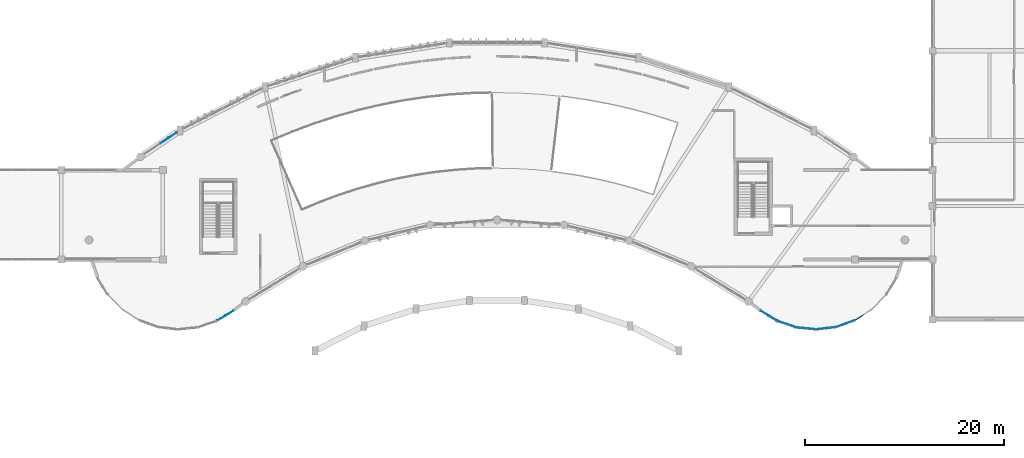
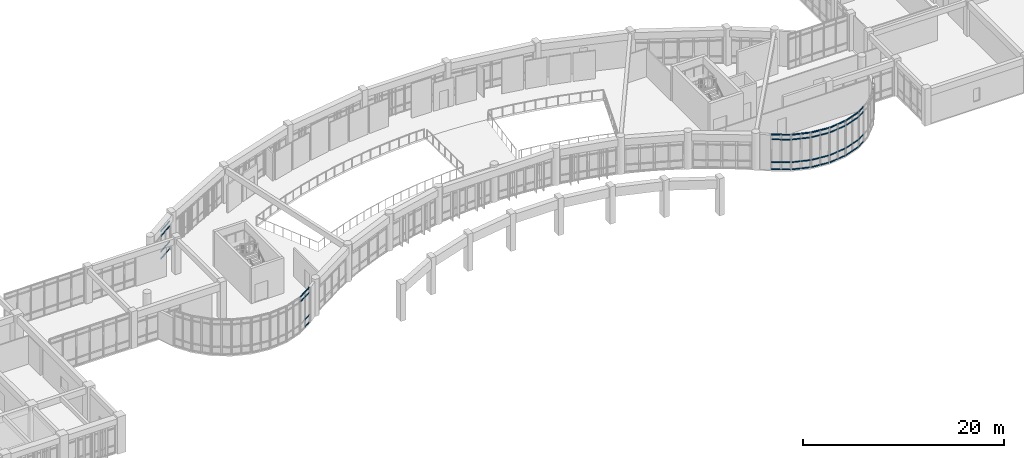
# One storey, part 29 of 57: 58 members, 8 elements without a shape of their own.
"""IFC4 building model written with IfcOpenShell, lengths in metres."""

from ifc_helpers import new_model, si_unit, direction, frame, origin, origin_2d, place, context, subcontext, project, spatial, rectangle, extrude, material, layer, layer_set, material_profile, profile_set, type_object, element, aggregate, save


model = new_model("IFC4")

# Units and contexts
model_context = context("Model", 3, precision=1e-05, world=origin(), true_north=direction((0.0, 1.0)))
body_context = subcontext(model_context, "Body", "Model", "MODEL_VIEW")
ifc_project = project(units=[si_unit("LENGTHUNIT", "METRE"), si_unit("AREAUNIT", "SQUARE_METRE"), si_unit("VOLUMEUNIT", "CUBIC_METRE"), si_unit("PLANEANGLEUNIT", "RADIAN"), si_unit("MASSUNIT", "GRAM", prefix="KILO")], contexts=[model_context])

# Site, building, storey
site_placement = place(None, origin())
site = spatial("IfcSite", under=ifc_project, at=site_placement, CompositionType="ELEMENT")
building_placement = place(site_placement, origin())
building = spatial("IfcBuilding", under=site, at=building_placement, Name="Miralva Faculty of Natural Sciences", CompositionType="ELEMENT")
storey_placement = place(building_placement, frame((0.0, 0.0, 15.0)))
storey = spatial("IfcBuildingStorey", under=building, at=storey_placement, Name="L03", CompositionType="ELEMENT", Elevation=15.0)

# Curtain wall, members
ifc_material_1 = material(Name="Laminated solar-control glass", Category="glass")
ifc_layer_1 = layer(ifc_material_1, 0.179931640625, Name="CW-ARC-L03")
ifc_layer_set_1 = layer_set([ifc_layer_1], Name="Laminated solar-control glass")
curtain_wall_type_1 = type_object("IfcCurtainWallType", Name="CW-ARC-L03", PredefinedType="USERDEFINED", material=ifc_layer_set_1)
curtain_wall_1_placement = place(storey_placement, origin())
curtain_wall_1 = element("IfcCurtainWall", 1, at=curtain_wall_1_placement, inside=storey, type_object=curtain_wall_type_1, Name="Curtain wall CW-03 L03-126", ObjectType="UNITISED CURTAIN WALL", PredefinedType="USERDEFINED")
ifc_material_2 = material(Name="Anodised aluminium", Category="aluminium")
ifc_material_profile = material_profile(ifc_material_2, rectangle(XDim=0.06005859375, YDim=0.1201171875, at=origin_2d()), Name="TRANSOM 60x120")
ifc_profile_set = profile_set([ifc_material_profile], Name="Anodised aluminium")
member_type = type_object("IfcMemberType", Name="CW-T02", PredefinedType="USERDEFINED", material=ifc_profile_set)
member_1_placement = place(storey_placement, frame((56.18603515625, 29.7138671875, 0.030029296875), z_axis=(0.831565381614, 0.555426877366, 0.0), x_axis=(-0.555426877366, 0.831565381614, 0.0)))
member_1 = element("IfcMember", 2, at=member_1_placement, type_object=member_type, Name="CW-03 transom 1.1", ObjectType="TRANSOM", PredefinedType="USERDEFINED", context=body_context, shape_type="SweptSolid", body=[
    extrude(rectangle(XDim=0.06005859375, YDim=0.1201171875, at=origin_2d()), origin(), (0.0, 0.0, 1.0), 0.93017578125),
])
member_2_placement = place(storey_placement, frame((56.18603515625, 29.7138671875, 0.89990234375), z_axis=(0.831565381614, 0.555426877366, 0.0), x_axis=(-0.555426877366, 0.831565381614, 0.0)))
member_2 = element("IfcMember", 3, at=member_2_placement, type_object=member_type, Name="CW-03 transom 1.2", ObjectType="TRANSOM", PredefinedType="USERDEFINED", context=body_context, shape_type="SweptSolid", body=[
    extrude(rectangle(XDim=0.06005859375, YDim=0.1201171875, at=origin_2d()), origin(), (0.0, 0.0, 1.0), 0.93017578125),
])
member_3_placement = place(storey_placement, frame((56.18603515625, 29.7138671875, 2.804931640625), z_axis=(0.831565381614, 0.555426877366, 0.0), x_axis=(-0.555426877366, 0.831565381614, 0.0)))
member_3 = element("IfcMember", 4, at=member_3_placement, type_object=member_type, Name="CW-03 transom 1.3", ObjectType="TRANSOM", PredefinedType="USERDEFINED", context=body_context, shape_type="SweptSolid", body=[
    extrude(rectangle(XDim=0.06005859375, YDim=0.1201171875, at=origin_2d()), origin(), (0.0, 0.0, 1.0), 0.93017578125),
])
member_4_placement = place(storey_placement, frame((56.18603515625, 29.7138671875, 3.375), z_axis=(0.831565381614, 0.555426877366, 0.0), x_axis=(-0.555426877366, 0.831565381614, 0.0)))
member_4 = element("IfcMember", 5, at=member_4_placement, type_object=member_type, Name="CW-03 transom 1.4", ObjectType="TRANSOM", PredefinedType="USERDEFINED", context=body_context, shape_type="SweptSolid", body=[
    extrude(rectangle(XDim=0.06005859375, YDim=0.1201171875, at=origin_2d()), origin(), (0.0, 0.0, 1.0), 0.93017578125),
])
member_5_placement = place(storey_placement, frame((57.013427734375, 30.2666015625, 0.030029296875), z_axis=(0.831484377474, 0.555548134744, 0.0), x_axis=(-0.555548134744, 0.831484377474, 0.0)))
member_5 = element("IfcMember", 6, at=member_5_placement, type_object=member_type, Name="CW-03 transom 2.1", ObjectType="TRANSOM", PredefinedType="USERDEFINED", context=body_context, shape_type="SweptSolid", body=[
    extrude(rectangle(XDim=0.06005859375, YDim=0.1201171875, at=origin_2d()), origin(), (0.0, 0.0, 1.0), 0.929931640625),
])
member_6_placement = place(storey_placement, frame((57.013427734375, 30.2666015625, 0.89990234375), z_axis=(0.831484377474, 0.555548134744, 0.0), x_axis=(-0.555548134744, 0.831484377474, 0.0)))
member_6 = element("IfcMember", 7, at=member_6_placement, type_object=member_type, Name="CW-03 transom 2.2", ObjectType="TRANSOM", PredefinedType="USERDEFINED", context=body_context, shape_type="SweptSolid", body=[
    extrude(rectangle(XDim=0.06005859375, YDim=0.1201171875, at=origin_2d()), origin(), (0.0, 0.0, 1.0), 0.929931640625),
])
member_7_placement = place(storey_placement, frame((57.013427734375, 30.2666015625, 2.804931640625), z_axis=(0.831484377474, 0.555548134744, 0.0), x_axis=(-0.555548134744, 0.831484377474, 0.0)))
member_7 = element("IfcMember", 8, at=member_7_placement, type_object=member_type, Name="CW-03 transom 2.3", ObjectType="TRANSOM", PredefinedType="USERDEFINED", context=body_context, shape_type="SweptSolid", body=[
    extrude(rectangle(XDim=0.06005859375, YDim=0.1201171875, at=origin_2d()), origin(), (0.0, 0.0, 1.0), 0.929931640625),
])
member_8_placement = place(storey_placement, frame((57.013427734375, 30.2666015625, 3.375), z_axis=(0.831484377474, 0.555548134744, 0.0), x_axis=(-0.555548134744, 0.831484377474, 0.0)))
member_8 = element("IfcMember", 9, at=member_8_placement, type_object=member_type, Name="CW-03 transom 2.4", ObjectType="TRANSOM", PredefinedType="USERDEFINED", context=body_context, shape_type="SweptSolid", body=[
    extrude(rectangle(XDim=0.06005859375, YDim=0.1201171875, at=origin_2d()), origin(), (0.0, 0.0, 1.0), 0.929931640625),
])
aggregate(curtain_wall_1, [member_1, member_2, member_3, member_4, member_5, member_6, member_7, member_8])

ifc_layer_2 = layer(ifc_material_1, 0.179931640625, Name="CW-RND-L03")
ifc_layer_set_2 = layer_set([ifc_layer_2], Name="Laminated solar-control glass")
curtain_wall_type_2 = type_object("IfcCurtainWallType", Name="CW-RND-L03", PredefinedType="USERDEFINED", material=ifc_layer_set_2)
curtain_wall_2_placement = place(storey_placement, origin())
curtain_wall_2 = element("IfcCurtainWall", 10, at=curtain_wall_2_placement, inside=storey, type_object=curtain_wall_type_2, Name="Curtain wall CW-06 L03-141", ObjectType="UNITISED CURTAIN WALL", PredefinedType="USERDEFINED")
member_9_placement = place(storey_placement, frame((61.864990234375, 11.86328125, 3.64990234375), z_axis=(0.852016327326, 0.52351521274, 0.0), x_axis=(-0.52351521274, 0.852016327326, 0.0)))
member_9 = element("IfcMember", 11, at=member_9_placement, type_object=member_type, Name="CW-06 transom 1.3", ObjectType="TRANSOM", PredefinedType="USERDEFINED", context=body_context, shape_type="SweptSolid", body=[
    extrude(rectangle(XDim=0.06005859375, YDim=0.1201171875, at=origin_2d()), origin(), (0.0, 0.0, 1.0), 0.91259765625),
])
member_10_placement = place(storey_placement, frame((61.864990234375, 11.86328125, 4.219970703125), z_axis=(0.852016327326, 0.52351521274, 0.0), x_axis=(-0.52351521274, 0.852016327326, 0.0)))
member_10 = element("IfcMember", 12, at=member_10_placement, type_object=member_type, Name="CW-06 transom 1.4", ObjectType="TRANSOM", PredefinedType="USERDEFINED", context=body_context, shape_type="SweptSolid", body=[
    extrude(rectangle(XDim=0.06005859375, YDim=0.1201171875, at=origin_2d()), origin(), (0.0, 0.0, 1.0), 0.91259765625),
])
member_11_placement = place(storey_placement, frame((62.697998046875, 12.375244140625, 0.030029296875), z_axis=(0.852016327326, 0.52351521274, 0.0), x_axis=(-0.52351521274, 0.852016327326, 0.0)))
member_11 = element("IfcMember", 13, at=member_11_placement, type_object=member_type, Name="CW-06 transom 2.1", ObjectType="TRANSOM", PredefinedType="USERDEFINED", context=body_context, shape_type="SweptSolid", body=[
    extrude(rectangle(XDim=0.06005859375, YDim=0.1201171875, at=origin_2d()), origin(), (0.0, 0.0, 1.0), 0.91259765625),
])
member_12_placement = place(storey_placement, frame((62.697998046875, 12.375244140625, 0.89990234375), z_axis=(0.852016327326, 0.52351521274, 0.0), x_axis=(-0.52351521274, 0.852016327326, 0.0)))
member_12 = element("IfcMember", 14, at=member_12_placement, type_object=member_type, Name="CW-06 transom 2.2", ObjectType="TRANSOM", PredefinedType="USERDEFINED", context=body_context, shape_type="SweptSolid", body=[
    extrude(rectangle(XDim=0.06005859375, YDim=0.1201171875, at=origin_2d()), origin(), (0.0, 0.0, 1.0), 0.91259765625),
])
member_13_placement = place(storey_placement, frame((62.697998046875, 12.375244140625, 3.64990234375), z_axis=(0.852016327326, 0.52351521274, 0.0), x_axis=(-0.52351521274, 0.852016327326, 0.0)))
member_13 = element("IfcMember", 15, at=member_13_placement, type_object=member_type, Name="CW-06 transom 2.3", ObjectType="TRANSOM", PredefinedType="USERDEFINED", context=body_context, shape_type="SweptSolid", body=[
    extrude(rectangle(XDim=0.06005859375, YDim=0.1201171875, at=origin_2d()), origin(), (0.0, 0.0, 1.0), 0.91259765625),
])
member_14_placement = place(storey_placement, frame((62.697998046875, 12.375244140625, 4.219970703125), z_axis=(0.852016327326, 0.52351521274, 0.0), x_axis=(-0.52351521274, 0.852016327326, 0.0)))
member_14 = element("IfcMember", 16, at=member_14_placement, type_object=member_type, Name="CW-06 transom 2.4", ObjectType="TRANSOM", PredefinedType="USERDEFINED", context=body_context, shape_type="SweptSolid", body=[
    extrude(rectangle(XDim=0.06005859375, YDim=0.1201171875, at=origin_2d()), origin(), (0.0, 0.0, 1.0), 0.91259765625),
])
aggregate(curtain_wall_2, [member_9, member_10, member_11, member_12, member_13, member_14])

curtain_wall_3_placement = place(storey_placement, origin())
curtain_wall_3 = element("IfcCurtainWall", 17, at=curtain_wall_3_placement, inside=storey, type_object=curtain_wall_type_2, Name="Curtain wall CW-06 L03-151", ObjectType="UNITISED CURTAIN WALL", PredefinedType="USERDEFINED")
member_15_placement = place(storey_placement, frame((126.0546875, 11.9423828125, 0.030029296875), z_axis=(0.841395718797, 0.540419507781, 0.0), x_axis=(-0.540419507781, 0.841395718797, 0.0)))
member_15 = element("IfcMember", 18, at=member_15_placement, type_object=member_type, Name="CW-06 transom 1.1", ObjectType="TRANSOM", PredefinedType="USERDEFINED", context=body_context, shape_type="SweptSolid", body=[
    extrude(rectangle(XDim=0.06005859375, YDim=0.1201171875, at=origin_2d()), origin(), (0.0, 0.0, 1.0), 0.91259765625),
])
member_16_placement = place(storey_placement, frame((126.0546875, 11.9423828125, 0.89990234375), z_axis=(0.841395718797, 0.540419507781, 0.0), x_axis=(-0.540419507781, 0.841395718797, 0.0)))
member_16 = element("IfcMember", 19, at=member_16_placement, type_object=member_type, Name="CW-06 transom 1.2", ObjectType="TRANSOM", PredefinedType="USERDEFINED", context=body_context, shape_type="SweptSolid", body=[
    extrude(rectangle(XDim=0.06005859375, YDim=0.1201171875, at=origin_2d()), origin(), (0.0, 0.0, 1.0), 0.91259765625),
])
member_17_placement = place(storey_placement, frame((126.0546875, 11.9423828125, 3.64990234375), z_axis=(0.841395718797, 0.540419507781, 0.0), x_axis=(-0.540419507781, 0.841395718797, 0.0)))
member_17 = element("IfcMember", 20, at=member_17_placement, type_object=member_type, Name="CW-06 transom 1.3", ObjectType="TRANSOM", PredefinedType="USERDEFINED", context=body_context, shape_type="SweptSolid", body=[
    extrude(rectangle(XDim=0.06005859375, YDim=0.1201171875, at=origin_2d()), origin(), (0.0, 0.0, 1.0), 0.91259765625),
])
member_18_placement = place(storey_placement, frame((126.0546875, 11.9423828125, 4.219970703125), z_axis=(0.841395718797, 0.540419507781, 0.0), x_axis=(-0.540419507781, 0.841395718797, 0.0)))
member_18 = element("IfcMember", 21, at=member_18_placement, type_object=member_type, Name="CW-06 transom 1.4", ObjectType="TRANSOM", PredefinedType="USERDEFINED", context=body_context, shape_type="SweptSolid", body=[
    extrude(rectangle(XDim=0.06005859375, YDim=0.1201171875, at=origin_2d()), origin(), (0.0, 0.0, 1.0), 0.91259765625),
])
aggregate(curtain_wall_3, [member_15, member_16, member_17, member_18])

curtain_wall_4_placement = place(storey_placement, origin())
curtain_wall_4 = element("IfcCurtainWall", 22, at=curtain_wall_4_placement, inside=storey, type_object=curtain_wall_type_2, Name="Curtain wall CW-06 L03-152", ObjectType="UNITISED CURTAIN WALL", PredefinedType="USERDEFINED")
member_19_placement = place(storey_placement, frame((124.16552734375, 11.24462890625, 0.030029296875), z_axis=(0.940525411881, 0.339723342744, 0.0), x_axis=(-0.339723342744, 0.940525411881, 0.0)))
member_19 = element("IfcMember", 23, at=member_19_placement, type_object=member_type, Name="CW-06 transom 1.1", ObjectType="TRANSOM", PredefinedType="USERDEFINED", context=body_context, shape_type="SweptSolid", body=[
    extrude(rectangle(XDim=0.06005859375, YDim=0.1201171875, at=origin_2d()), origin(), (0.0, 0.0, 1.0), 0.91259765625),
])
member_20_placement = place(storey_placement, frame((124.16552734375, 11.24462890625, 0.89990234375), z_axis=(0.940525411881, 0.339723342744, 0.0), x_axis=(-0.339723342744, 0.940525411881, 0.0)))
member_20 = element("IfcMember", 24, at=member_20_placement, type_object=member_type, Name="CW-06 transom 1.2", ObjectType="TRANSOM", PredefinedType="USERDEFINED", context=body_context, shape_type="SweptSolid", body=[
    extrude(rectangle(XDim=0.06005859375, YDim=0.1201171875, at=origin_2d()), origin(), (0.0, 0.0, 1.0), 0.91259765625),
])
member_21_placement = place(storey_placement, frame((124.16552734375, 11.24462890625, 3.64990234375), z_axis=(0.940525411881, 0.339723342744, 0.0), x_axis=(-0.339723342744, 0.940525411881, 0.0)))
member_21 = element("IfcMember", 25, at=member_21_placement, type_object=member_type, Name="CW-06 transom 1.3", ObjectType="TRANSOM", PredefinedType="USERDEFINED", context=body_context, shape_type="SweptSolid", body=[
    extrude(rectangle(XDim=0.06005859375, YDim=0.1201171875, at=origin_2d()), origin(), (0.0, 0.0, 1.0), 0.91259765625),
])
member_22_placement = place(storey_placement, frame((124.16552734375, 11.24462890625, 4.219970703125), z_axis=(0.940525411881, 0.339723342744, 0.0), x_axis=(-0.339723342744, 0.940525411881, 0.0)))
member_22 = element("IfcMember", 26, at=member_22_placement, type_object=member_type, Name="CW-06 transom 1.4", ObjectType="TRANSOM", PredefinedType="USERDEFINED", context=body_context, shape_type="SweptSolid", body=[
    extrude(rectangle(XDim=0.06005859375, YDim=0.1201171875, at=origin_2d()), origin(), (0.0, 0.0, 1.0), 0.91259765625),
])
member_23_placement = place(storey_placement, frame((125.085205078125, 11.576904296875, 0.030029296875), z_axis=(0.94061086064, 0.339486684344, 0.0), x_axis=(-0.339486684344, 0.94061086064, 0.0)))
member_23 = element("IfcMember", 27, at=member_23_placement, type_object=member_type, Name="CW-06 transom 2.1", ObjectType="TRANSOM", PredefinedType="USERDEFINED", context=body_context, shape_type="SweptSolid", body=[
    extrude(rectangle(XDim=0.06005859375, YDim=0.1201171875, at=origin_2d()), origin(), (0.0, 0.0, 1.0), 0.91259765625),
])
member_24_placement = place(storey_placement, frame((125.085205078125, 11.576904296875, 0.89990234375), z_axis=(0.94061086064, 0.339486684344, 0.0), x_axis=(-0.339486684344, 0.94061086064, 0.0)))
member_24 = element("IfcMember", 28, at=member_24_placement, type_object=member_type, Name="CW-06 transom 2.2", ObjectType="TRANSOM", PredefinedType="USERDEFINED", context=body_context, shape_type="SweptSolid", body=[
    extrude(rectangle(XDim=0.06005859375, YDim=0.1201171875, at=origin_2d()), origin(), (0.0, 0.0, 1.0), 0.91259765625),
])
member_25_placement = place(storey_placement, frame((125.085205078125, 11.576904296875, 3.64990234375), z_axis=(0.94061086064, 0.339486684344, 0.0), x_axis=(-0.339486684344, 0.94061086064, 0.0)))
member_25 = element("IfcMember", 29, at=member_25_placement, type_object=member_type, Name="CW-06 transom 2.3", ObjectType="TRANSOM", PredefinedType="USERDEFINED", context=body_context, shape_type="SweptSolid", body=[
    extrude(rectangle(XDim=0.06005859375, YDim=0.1201171875, at=origin_2d()), origin(), (0.0, 0.0, 1.0), 0.91259765625),
])
member_26_placement = place(storey_placement, frame((125.085205078125, 11.576904296875, 4.219970703125), z_axis=(0.94061086064, 0.339486684344, 0.0), x_axis=(-0.339486684344, 0.94061086064, 0.0)))
member_26 = element("IfcMember", 30, at=member_26_placement, type_object=member_type, Name="CW-06 transom 2.4", ObjectType="TRANSOM", PredefinedType="USERDEFINED", context=body_context, shape_type="SweptSolid", body=[
    extrude(rectangle(XDim=0.06005859375, YDim=0.1201171875, at=origin_2d()), origin(), (0.0, 0.0, 1.0), 0.91259765625),
])
aggregate(curtain_wall_4, [member_19, member_20, member_21, member_22, member_23, member_24, member_25, member_26])

curtain_wall_5_placement = place(storey_placement, origin())
curtain_wall_5 = element("IfcCurtainWall", 31, at=curtain_wall_5_placement, inside=storey, type_object=curtain_wall_type_2, Name="Curtain wall CW-06 L03-153", ObjectType="UNITISED CURTAIN WALL", PredefinedType="USERDEFINED")
member_27_placement = place(storey_placement, frame((122.168701171875, 10.98486328125, 0.030029296875), z_axis=(0.992534937681, 0.121960639068, 0.0), x_axis=(-0.121960639068, 0.992534937681, 0.0)))
member_27 = element("IfcMember", 32, at=member_27_placement, type_object=member_type, Name="CW-06 transom 1.1", ObjectType="TRANSOM", PredefinedType="USERDEFINED", context=body_context, shape_type="SweptSolid", body=[
    extrude(rectangle(XDim=0.06005859375, YDim=0.1201171875, at=origin_2d()), origin(), (0.0, 0.0, 1.0), 0.912841796875),
])
member_28_placement = place(storey_placement, frame((122.168701171875, 10.98486328125, 0.89990234375), z_axis=(0.992534937681, 0.121960639068, 0.0), x_axis=(-0.121960639068, 0.992534937681, 0.0)))
member_28 = element("IfcMember", 33, at=member_28_placement, type_object=member_type, Name="CW-06 transom 1.2", ObjectType="TRANSOM", PredefinedType="USERDEFINED", context=body_context, shape_type="SweptSolid", body=[
    extrude(rectangle(XDim=0.06005859375, YDim=0.1201171875, at=origin_2d()), origin(), (0.0, 0.0, 1.0), 0.912841796875),
])
member_29_placement = place(storey_placement, frame((122.168701171875, 10.98486328125, 3.64990234375), z_axis=(0.992534937681, 0.121960639068, 0.0), x_axis=(-0.121960639068, 0.992534937681, 0.0)))
member_29 = element("IfcMember", 34, at=member_29_placement, type_object=member_type, Name="CW-06 transom 1.3", ObjectType="TRANSOM", PredefinedType="USERDEFINED", context=body_context, shape_type="SweptSolid", body=[
    extrude(rectangle(XDim=0.06005859375, YDim=0.1201171875, at=origin_2d()), origin(), (0.0, 0.0, 1.0), 0.912841796875),
])
member_30_placement = place(storey_placement, frame((122.168701171875, 10.98486328125, 4.219970703125), z_axis=(0.992534937681, 0.121960639068, 0.0), x_axis=(-0.121960639068, 0.992534937681, 0.0)))
member_30 = element("IfcMember", 35, at=member_30_placement, type_object=member_type, Name="CW-06 transom 1.4", ObjectType="TRANSOM", PredefinedType="USERDEFINED", context=body_context, shape_type="SweptSolid", body=[
    extrude(rectangle(XDim=0.06005859375, YDim=0.1201171875, at=origin_2d()), origin(), (0.0, 0.0, 1.0), 0.912841796875),
])
member_31_placement = place(storey_placement, frame((123.13916015625, 11.10400390625, 0.030029296875), z_axis=(0.992530957827, 0.121993023388, 0.0), x_axis=(-0.121993023388, 0.992530957827, 0.0)))
member_31 = element("IfcMember", 36, at=member_31_placement, type_object=member_type, Name="CW-06 transom 2.1", ObjectType="TRANSOM", PredefinedType="USERDEFINED", context=body_context, shape_type="SweptSolid", body=[
    extrude(rectangle(XDim=0.06005859375, YDim=0.1201171875, at=origin_2d()), origin(), (0.0, 0.0, 1.0), 0.91259765625),
])
member_32_placement = place(storey_placement, frame((123.13916015625, 11.10400390625, 0.89990234375), z_axis=(0.992530957827, 0.121993023388, 0.0), x_axis=(-0.121993023388, 0.992530957827, 0.0)))
member_32 = element("IfcMember", 37, at=member_32_placement, type_object=member_type, Name="CW-06 transom 2.2", ObjectType="TRANSOM", PredefinedType="USERDEFINED", context=body_context, shape_type="SweptSolid", body=[
    extrude(rectangle(XDim=0.06005859375, YDim=0.1201171875, at=origin_2d()), origin(), (0.0, 0.0, 1.0), 0.91259765625),
])
member_33_placement = place(storey_placement, frame((123.13916015625, 11.10400390625, 3.64990234375), z_axis=(0.992530957827, 0.121993023388, 0.0), x_axis=(-0.121993023388, 0.992530957827, 0.0)))
member_33 = element("IfcMember", 38, at=member_33_placement, type_object=member_type, Name="CW-06 transom 2.3", ObjectType="TRANSOM", PredefinedType="USERDEFINED", context=body_context, shape_type="SweptSolid", body=[
    extrude(rectangle(XDim=0.06005859375, YDim=0.1201171875, at=origin_2d()), origin(), (0.0, 0.0, 1.0), 0.91259765625),
])
member_34_placement = place(storey_placement, frame((123.13916015625, 11.10400390625, 4.219970703125), z_axis=(0.992530957827, 0.121993023388, 0.0), x_axis=(-0.121993023388, 0.992530957827, 0.0)))
member_34 = element("IfcMember", 39, at=member_34_placement, type_object=member_type, Name="CW-06 transom 2.4", ObjectType="TRANSOM", PredefinedType="USERDEFINED", context=body_context, shape_type="SweptSolid", body=[
    extrude(rectangle(XDim=0.06005859375, YDim=0.1201171875, at=origin_2d()), origin(), (0.0, 0.0, 1.0), 0.91259765625),
])
aggregate(curtain_wall_5, [member_27, member_28, member_29, member_30, member_31, member_32, member_33, member_34])

curtain_wall_6_placement = place(storey_placement, origin())
curtain_wall_6 = element("IfcCurtainWall", 40, at=curtain_wall_6_placement, inside=storey, type_object=curtain_wall_type_2, Name="Curtain wall CW-06 L03-154", ObjectType="UNITISED CURTAIN WALL", PredefinedType="USERDEFINED")
member_35_placement = place(storey_placement, frame((120.1640625, 11.176025390625, 0.030029296875), z_axis=(0.994793266196, -0.101913480619, 0.0), x_axis=(0.101913480619, 0.994793266196, 0.0)))
member_35 = element("IfcMember", 41, at=member_35_placement, type_object=member_type, Name="CW-06 transom 1.1", ObjectType="TRANSOM", PredefinedType="USERDEFINED", context=body_context, shape_type="SweptSolid", body=[
    extrude(rectangle(XDim=0.06005859375, YDim=0.1201171875, at=origin_2d()), origin(), (0.0, 0.0, 1.0), 0.91259765625),
])
member_36_placement = place(storey_placement, frame((120.1640625, 11.176025390625, 0.89990234375), z_axis=(0.994793266196, -0.101913480619, 0.0), x_axis=(0.101913480619, 0.994793266196, 0.0)))
member_36 = element("IfcMember", 42, at=member_36_placement, type_object=member_type, Name="CW-06 transom 1.2", ObjectType="TRANSOM", PredefinedType="USERDEFINED", context=body_context, shape_type="SweptSolid", body=[
    extrude(rectangle(XDim=0.06005859375, YDim=0.1201171875, at=origin_2d()), origin(), (0.0, 0.0, 1.0), 0.91259765625),
])
member_37_placement = place(storey_placement, frame((120.1640625, 11.176025390625, 3.64990234375), z_axis=(0.994793266196, -0.101913480619, 0.0), x_axis=(0.101913480619, 0.994793266196, 0.0)))
member_37 = element("IfcMember", 43, at=member_37_placement, type_object=member_type, Name="CW-06 transom 1.3", ObjectType="TRANSOM", PredefinedType="USERDEFINED", context=body_context, shape_type="SweptSolid", body=[
    extrude(rectangle(XDim=0.06005859375, YDim=0.1201171875, at=origin_2d()), origin(), (0.0, 0.0, 1.0), 0.91259765625),
])
member_38_placement = place(storey_placement, frame((120.1640625, 11.176025390625, 4.219970703125), z_axis=(0.994793266196, -0.101913480619, 0.0), x_axis=(0.101913480619, 0.994793266196, 0.0)))
member_38 = element("IfcMember", 44, at=member_38_placement, type_object=member_type, Name="CW-06 transom 1.4", ObjectType="TRANSOM", PredefinedType="USERDEFINED", context=body_context, shape_type="SweptSolid", body=[
    extrude(rectangle(XDim=0.06005859375, YDim=0.1201171875, at=origin_2d()), origin(), (0.0, 0.0, 1.0), 0.91259765625),
])
member_39_placement = place(storey_placement, frame((121.136474609375, 11.076171875, 0.030029296875), z_axis=(0.994793266196, -0.101913480619, 0.0), x_axis=(0.101913480619, 0.994793266196, 0.0)))
member_39 = element("IfcMember", 45, at=member_39_placement, type_object=member_type, Name="CW-06 transom 2.1", ObjectType="TRANSOM", PredefinedType="USERDEFINED", context=body_context, shape_type="SweptSolid", body=[
    extrude(rectangle(XDim=0.06005859375, YDim=0.1201171875, at=origin_2d()), origin(), (0.0, 0.0, 1.0), 0.91259765625),
])
member_40_placement = place(storey_placement, frame((121.136474609375, 11.076171875, 0.89990234375), z_axis=(0.994793266196, -0.101913480619, 0.0), x_axis=(0.101913480619, 0.994793266196, 0.0)))
member_40 = element("IfcMember", 46, at=member_40_placement, type_object=member_type, Name="CW-06 transom 2.2", ObjectType="TRANSOM", PredefinedType="USERDEFINED", context=body_context, shape_type="SweptSolid", body=[
    extrude(rectangle(XDim=0.06005859375, YDim=0.1201171875, at=origin_2d()), origin(), (0.0, 0.0, 1.0), 0.91259765625),
])
member_41_placement = place(storey_placement, frame((121.136474609375, 11.076171875, 3.64990234375), z_axis=(0.994793266196, -0.101913480619, 0.0), x_axis=(0.101913480619, 0.994793266196, 0.0)))
member_41 = element("IfcMember", 47, at=member_41_placement, type_object=member_type, Name="CW-06 transom 2.3", ObjectType="TRANSOM", PredefinedType="USERDEFINED", context=body_context, shape_type="SweptSolid", body=[
    extrude(rectangle(XDim=0.06005859375, YDim=0.1201171875, at=origin_2d()), origin(), (0.0, 0.0, 1.0), 0.91259765625),
])
member_42_placement = place(storey_placement, frame((121.136474609375, 11.076171875, 4.219970703125), z_axis=(0.994793266196, -0.101913480619, 0.0), x_axis=(0.101913480619, 0.994793266196, 0.0)))
member_42 = element("IfcMember", 48, at=member_42_placement, type_object=member_type, Name="CW-06 transom 2.4", ObjectType="TRANSOM", PredefinedType="USERDEFINED", context=body_context, shape_type="SweptSolid", body=[
    extrude(rectangle(XDim=0.06005859375, YDim=0.1201171875, at=origin_2d()), origin(), (0.0, 0.0, 1.0), 0.91259765625),
])
aggregate(curtain_wall_6, [member_35, member_36, member_37, member_38, member_39, member_40, member_41, member_42])

curtain_wall_7_placement = place(storey_placement, origin())
curtain_wall_7 = element("IfcCurtainWall", 49, at=curtain_wall_7_placement, inside=storey, type_object=curtain_wall_type_2, Name="Curtain wall CW-06 L03-155", ObjectType="UNITISED CURTAIN WALL", PredefinedType="USERDEFINED")
member_43_placement = place(storey_placement, frame((118.251953125, 11.808349609375, 0.030029296875), z_axis=(0.947174722358, -0.32071801528, 0.0), x_axis=(0.32071801528, 0.947174722358, 0.0)))
member_43 = element("IfcMember", 50, at=member_43_placement, type_object=member_type, Name="CW-06 transom 1.1", ObjectType="TRANSOM", PredefinedType="USERDEFINED", context=body_context, shape_type="SweptSolid", body=[
    extrude(rectangle(XDim=0.06005859375, YDim=0.1201171875, at=origin_2d()), origin(), (0.0, 0.0, 1.0), 0.91259765625),
])
member_44_placement = place(storey_placement, frame((118.251953125, 11.808349609375, 0.89990234375), z_axis=(0.947174722358, -0.32071801528, 0.0), x_axis=(0.32071801528, 0.947174722358, 0.0)))
member_44 = element("IfcMember", 51, at=member_44_placement, type_object=member_type, Name="CW-06 transom 1.2", ObjectType="TRANSOM", PredefinedType="USERDEFINED", context=body_context, shape_type="SweptSolid", body=[
    extrude(rectangle(XDim=0.06005859375, YDim=0.1201171875, at=origin_2d()), origin(), (0.0, 0.0, 1.0), 0.91259765625),
])
member_45_placement = place(storey_placement, frame((118.251953125, 11.808349609375, 3.64990234375), z_axis=(0.947174722358, -0.32071801528, 0.0), x_axis=(0.32071801528, 0.947174722358, 0.0)))
member_45 = element("IfcMember", 52, at=member_45_placement, type_object=member_type, Name="CW-06 transom 1.3", ObjectType="TRANSOM", PredefinedType="USERDEFINED", context=body_context, shape_type="SweptSolid", body=[
    extrude(rectangle(XDim=0.06005859375, YDim=0.1201171875, at=origin_2d()), origin(), (0.0, 0.0, 1.0), 0.91259765625),
])
member_46_placement = place(storey_placement, frame((118.251953125, 11.808349609375, 4.219970703125), z_axis=(0.947174722358, -0.32071801528, 0.0), x_axis=(0.32071801528, 0.947174722358, 0.0)))
member_46 = element("IfcMember", 53, at=member_46_placement, type_object=member_type, Name="CW-06 transom 1.4", ObjectType="TRANSOM", PredefinedType="USERDEFINED", context=body_context, shape_type="SweptSolid", body=[
    extrude(rectangle(XDim=0.06005859375, YDim=0.1201171875, at=origin_2d()), origin(), (0.0, 0.0, 1.0), 0.91259765625),
])
member_47_placement = place(storey_placement, frame((119.177978515625, 11.494873046875, 0.030029296875), z_axis=(0.947093442527, -0.320957958496, 0.0), x_axis=(0.320957958496, 0.947093442527, 0.0)))
member_47 = element("IfcMember", 54, at=member_47_placement, type_object=member_type, Name="CW-06 transom 2.1", ObjectType="TRANSOM", PredefinedType="USERDEFINED", context=body_context, shape_type="SweptSolid", body=[
    extrude(rectangle(XDim=0.06005859375, YDim=0.1201171875, at=origin_2d()), origin(), (0.0, 0.0, 1.0), 0.912841796875),
])
member_48_placement = place(storey_placement, frame((119.177978515625, 11.494873046875, 0.89990234375), z_axis=(0.947093442527, -0.320957958496, 0.0), x_axis=(0.320957958496, 0.947093442527, 0.0)))
member_48 = element("IfcMember", 55, at=member_48_placement, type_object=member_type, Name="CW-06 transom 2.2", ObjectType="TRANSOM", PredefinedType="USERDEFINED", context=body_context, shape_type="SweptSolid", body=[
    extrude(rectangle(XDim=0.06005859375, YDim=0.1201171875, at=origin_2d()), origin(), (0.0, 0.0, 1.0), 0.912841796875),
])
member_49_placement = place(storey_placement, frame((119.177978515625, 11.494873046875, 3.64990234375), z_axis=(0.947093442527, -0.320957958496, 0.0), x_axis=(0.320957958496, 0.947093442527, 0.0)))
member_49 = element("IfcMember", 56, at=member_49_placement, type_object=member_type, Name="CW-06 transom 2.3", ObjectType="TRANSOM", PredefinedType="USERDEFINED", context=body_context, shape_type="SweptSolid", body=[
    extrude(rectangle(XDim=0.06005859375, YDim=0.1201171875, at=origin_2d()), origin(), (0.0, 0.0, 1.0), 0.912841796875),
])
member_50_placement = place(storey_placement, frame((119.177978515625, 11.494873046875, 4.219970703125), z_axis=(0.947093442527, -0.320957958496, 0.0), x_axis=(0.320957958496, 0.947093442527, 0.0)))
member_50 = element("IfcMember", 57, at=member_50_placement, type_object=member_type, Name="CW-06 transom 2.4", ObjectType="TRANSOM", PredefinedType="USERDEFINED", context=body_context, shape_type="SweptSolid", body=[
    extrude(rectangle(XDim=0.06005859375, YDim=0.1201171875, at=origin_2d()), origin(), (0.0, 0.0, 1.0), 0.912841796875),
])
aggregate(curtain_wall_7, [member_43, member_44, member_45, member_46, member_47, member_48, member_49, member_50])

curtain_wall_8_placement = place(storey_placement, origin())
curtain_wall_8 = element("IfcCurtainWall", 58, at=curtain_wall_8_placement, inside=storey, type_object=curtain_wall_type_2, Name="Curtain wall CW-06 L03-156", ObjectType="UNITISED CURTAIN WALL", PredefinedType="USERDEFINED")
member_51_placement = place(storey_placement, frame((116.5244140625, 12.85302734375, 0.030029296875), z_axis=(0.852079385705, -0.523412571933, 0.0), x_axis=(0.523412571933, 0.852079385705, 0.0)))
member_51 = element("IfcMember", 59, at=member_51_placement, type_object=member_type, Name="CW-06 transom 1.1", ObjectType="TRANSOM", PredefinedType="USERDEFINED", context=body_context, shape_type="SweptSolid", body=[
    extrude(rectangle(XDim=0.06005859375, YDim=0.1201171875, at=origin_2d()), origin(), (0.0, 0.0, 1.0), 0.9150390625),
])
member_52_placement = place(storey_placement, frame((116.5244140625, 12.85302734375, 0.89990234375), z_axis=(0.852079385705, -0.523412571933, 0.0), x_axis=(0.523412571933, 0.852079385705, 0.0)))
member_52 = element("IfcMember", 60, at=member_52_placement, type_object=member_type, Name="CW-06 transom 1.2", ObjectType="TRANSOM", PredefinedType="USERDEFINED", context=body_context, shape_type="SweptSolid", body=[
    extrude(rectangle(XDim=0.06005859375, YDim=0.1201171875, at=origin_2d()), origin(), (0.0, 0.0, 1.0), 0.9150390625),
])
member_53_placement = place(storey_placement, frame((116.5244140625, 12.85302734375, 3.64990234375), z_axis=(0.852079385705, -0.523412571933, 0.0), x_axis=(0.523412571933, 0.852079385705, 0.0)))
member_53 = element("IfcMember", 61, at=member_53_placement, type_object=member_type, Name="CW-06 transom 1.3", ObjectType="TRANSOM", PredefinedType="USERDEFINED", context=body_context, shape_type="SweptSolid", body=[
    extrude(rectangle(XDim=0.06005859375, YDim=0.1201171875, at=origin_2d()), origin(), (0.0, 0.0, 1.0), 0.9150390625),
])
member_54_placement = place(storey_placement, frame((116.5244140625, 12.85302734375, 4.219970703125), z_axis=(0.852079385705, -0.523412571933, 0.0), x_axis=(0.523412571933, 0.852079385705, 0.0)))
member_54 = element("IfcMember", 62, at=member_54_placement, type_object=member_type, Name="CW-06 transom 1.4", ObjectType="TRANSOM", PredefinedType="USERDEFINED", context=body_context, shape_type="SweptSolid", body=[
    extrude(rectangle(XDim=0.06005859375, YDim=0.1201171875, at=origin_2d()), origin(), (0.0, 0.0, 1.0), 0.9150390625),
])
member_55_placement = place(storey_placement, frame((117.359619140625, 12.33984375, 0.030029296875), z_axis=(0.852079385705, -0.523412571933, 0.0), x_axis=(0.523412571933, 0.852079385705, 0.0)))
member_55 = element("IfcMember", 63, at=member_55_placement, type_object=member_type, Name="CW-06 transom 2.1", ObjectType="TRANSOM", PredefinedType="USERDEFINED", context=body_context, shape_type="SweptSolid", body=[
    extrude(rectangle(XDim=0.06005859375, YDim=0.1201171875, at=origin_2d()), origin(), (0.0, 0.0, 1.0), 0.9150390625),
])
member_56_placement = place(storey_placement, frame((117.359619140625, 12.33984375, 0.89990234375), z_axis=(0.852079385705, -0.523412571933, 0.0), x_axis=(0.523412571933, 0.852079385705, 0.0)))
member_56 = element("IfcMember", 64, at=member_56_placement, type_object=member_type, Name="CW-06 transom 2.2", ObjectType="TRANSOM", PredefinedType="USERDEFINED", context=body_context, shape_type="SweptSolid", body=[
    extrude(rectangle(XDim=0.06005859375, YDim=0.1201171875, at=origin_2d()), origin(), (0.0, 0.0, 1.0), 0.9150390625),
])
member_57_placement = place(storey_placement, frame((117.359619140625, 12.33984375, 3.64990234375), z_axis=(0.852079385705, -0.523412571933, 0.0), x_axis=(0.523412571933, 0.852079385705, 0.0)))
member_57 = element("IfcMember", 65, at=member_57_placement, type_object=member_type, Name="CW-06 transom 2.3", ObjectType="TRANSOM", PredefinedType="USERDEFINED", context=body_context, shape_type="SweptSolid", body=[
    extrude(rectangle(XDim=0.06005859375, YDim=0.1201171875, at=origin_2d()), origin(), (0.0, 0.0, 1.0), 0.9150390625),
])
member_58_placement = place(storey_placement, frame((117.359619140625, 12.33984375, 4.219970703125), z_axis=(0.852079385705, -0.523412571933, 0.0), x_axis=(0.523412571933, 0.852079385705, 0.0)))
member_58 = element("IfcMember", 66, at=member_58_placement, type_object=member_type, Name="CW-06 transom 2.4", ObjectType="TRANSOM", PredefinedType="USERDEFINED", context=body_context, shape_type="SweptSolid", body=[
    extrude(rectangle(XDim=0.06005859375, YDim=0.1201171875, at=origin_2d()), origin(), (0.0, 0.0, 1.0), 0.9150390625),
])
aggregate(curtain_wall_8, [member_51, member_52, member_53, member_54, member_55, member_56, member_57, member_58])

save(model, "model.ifc")
